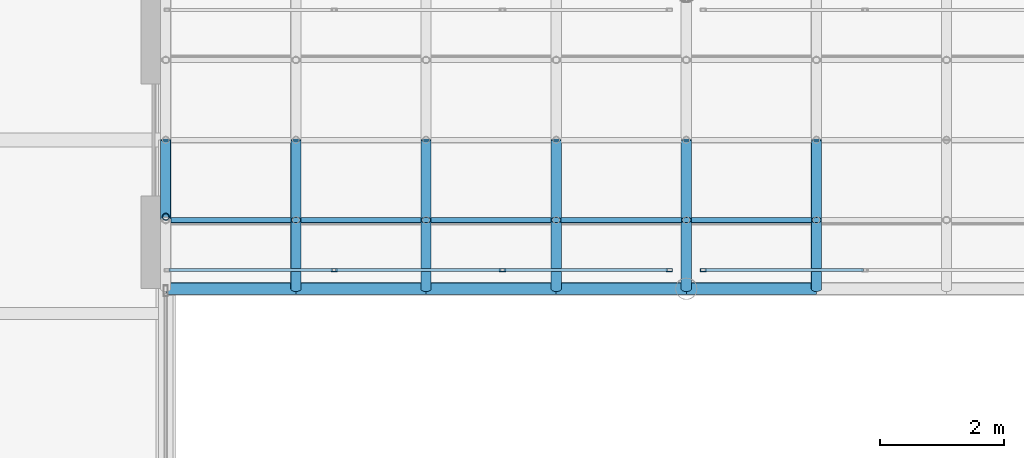
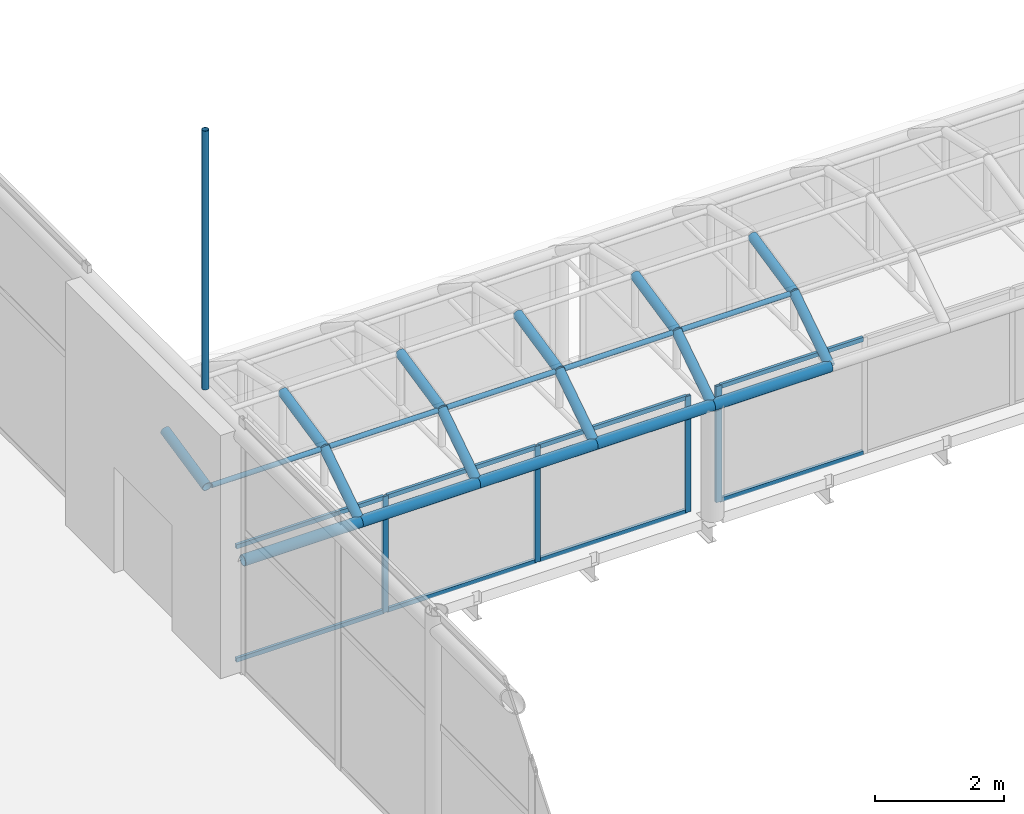
# One storey, part 92 of 167: 34 members, 2 elements without a shape of their own.
"""IFC4 building model written with IfcOpenShell, lengths in metres."""

from ifc_helpers import new_model, si_unit, direction, frame, origin, origin_2d, place, context, subcontext, project, spatial, hollow_rectangle, hollow_circle, extrude, material, material_profile, profile_set, type_object, element, aggregate, save


model = new_model("IFC4")

# Units and contexts
model_context = context("Model", 3, precision=1e-05, world=origin(), true_north=direction((0.0, 1.0)))
body_context = subcontext(model_context, "Body", "Model", "MODEL_VIEW")
ifc_project = project(units=[si_unit("LENGTHUNIT", "METRE"), si_unit("AREAUNIT", "SQUARE_METRE"), si_unit("VOLUMEUNIT", "CUBIC_METRE"), si_unit("PLANEANGLEUNIT", "RADIAN"), si_unit("MASSUNIT", "GRAM", prefix="KILO")], contexts=[model_context])

# Site, building, storey
site_placement = place(None, origin())
site = spatial("IfcSite", under=ifc_project, at=site_placement, CompositionType="ELEMENT")
building_placement = place(site_placement, origin())
building = spatial("IfcBuilding", under=site, at=building_placement, Name="Catenary Quay Ferry Terminal", CompositionType="ELEMENT")
storey_placement = place(building_placement, frame((0.0, 0.0, 6.0)))
storey = spatial("IfcBuildingStorey", under=building, at=storey_placement, Name="L01", CompositionType="ELEMENT", Elevation=6.0)

# Member
ifc_material_1 = material(Name="Steel S355", Category="steel")
ifc_material_profile_1 = material_profile(ifc_material_1, hollow_circle(Radius=0.05712890625, WallThickness=0.00634765625, at=origin_2d()), Name="CHS 114.3x6.3")
ifc_profile_set_1 = profile_set([ifc_material_profile_1], Name="Steel S355")
member_type_1 = type_object("IfcMemberType", Name="HG1 CHS 114.3x6.3", PredefinedType="POST", material=ifc_profile_set_1)
member_1_placement = place(storey_placement, frame((92.39990234375, 91.159912109375, 4.654052734375), z_axis=(0.0, 0.0, 1.0), x_axis=(1.0, 0.0, 0.0)))
element("IfcMember", 1, at=member_1_placement, inside=storey, type_object=member_type_1, Name="Hanger VA-09-07", PredefinedType="POST", context=body_context, shape_type="SweptSolid", body=[
    extrude(hollow_circle(Radius=0.05712890625, WallThickness=0.00634765625, at=origin_2d()), origin(), (0.0, 0.0, 1.0), 4.89599609375),
])

# Curtain wall, members
ifc_material_2 = material(Name="Aluminium and glass", Category="aluminium")
curtain_wall_type = type_object("IfcCurtainWallType", Name="CWB", PredefinedType="NOTDEFINED", material=ifc_material_2)
curtain_wall_1_placement = place(storey_placement, origin())
curtain_wall_1 = element("IfcCurtainWall", 2, at=curtain_wall_1_placement, inside=storey, type_object=curtain_wall_type, Name="BB2 curtain wall CW64", PredefinedType="NOTDEFINED")
ifc_material_3 = material(Name="Aluminium", Category="aluminium")
ifc_material_profile_2 = material_profile(ifc_material_3, hollow_rectangle(XDim=0.050048828125, YDim=0.10009765625, WallThickness=0.0048828125, at=origin_2d()), Name="MU1")
ifc_profile_set_2 = profile_set([ifc_material_profile_2], Name="Aluminium")
member_type_2 = type_object("IfcMemberType", Name="MU1", PredefinedType="MULLION", material=ifc_profile_set_2)
member_2_placement = place(storey_placement, frame((95.11669921875, 90.300048828125, 0.0), z_axis=(0.0, 0.0, 1.0), x_axis=(0.0, 1.0, 0.0)))
member_2 = element("IfcMember", 3, at=member_2_placement, type_object=member_type_2, Name="CW64 mullion 2", PredefinedType="MULLION", context=body_context, shape_type="SweptSolid", body=[
    extrude(hollow_rectangle(XDim=0.050048828125, YDim=0.10009765625, WallThickness=0.0048828125, at=origin_2d()), origin(), (0.0, 0.0, 1.0), 2.195068359375),
])
member_3_placement = place(storey_placement, frame((97.833251953125, 90.300048828125, 0.0), z_axis=(0.0, 0.0, 1.0), x_axis=(0.0, 1.0, 0.0)))
member_3 = element("IfcMember", 4, at=member_3_placement, type_object=member_type_2, Name="CW64 mullion 3", PredefinedType="MULLION", context=body_context, shape_type="SweptSolid", body=[
    extrude(hollow_rectangle(XDim=0.050048828125, YDim=0.10009765625, WallThickness=0.0048828125, at=origin_2d()), origin(), (0.0, 0.0, 1.0), 2.195068359375),
])
member_4_placement = place(storey_placement, frame((100.52490234375, 90.300048828125, 0.0), z_axis=(0.0, 0.0, 1.0), x_axis=(0.0, 1.0, 0.0)))
member_4 = element("IfcMember", 5, at=member_4_placement, type_object=member_type_2, Name="CW64 mullion 4", PredefinedType="MULLION", context=body_context, shape_type="SweptSolid", body=[
    extrude(hollow_rectangle(XDim=0.050048828125, YDim=0.10009765625, WallThickness=0.0048828125, at=origin_2d()), origin(), (0.0, 0.0, 1.0), 2.195068359375),
])

# Curtain wall, member
curtain_wall_2_placement = place(storey_placement, origin())
curtain_wall_2 = element("IfcCurtainWall", 6, at=curtain_wall_2_placement, inside=storey, type_object=curtain_wall_type, Name="BB2 curtain wall CW65", PredefinedType="NOTDEFINED")
member_5_placement = place(storey_placement, frame((101.074951171875, 90.300048828125, 0.0), z_axis=(0.0, 0.0, 1.0), x_axis=(0.0, 1.0, 0.0)))
member_5 = element("IfcMember", 7, at=member_5_placement, type_object=member_type_2, Name="CW65 mullion 1", PredefinedType="MULLION", context=body_context, shape_type="SweptSolid", body=[
    extrude(hollow_rectangle(XDim=0.050048828125, YDim=0.10009765625, WallThickness=0.0048828125, at=origin_2d()), origin(), (0.0, 0.0, 1.0), 2.195068359375),
])

# Members
ifc_material_4 = material(Name="Steel S355", Category="steel")
ifc_material_profile_3 = material_profile(ifc_material_4, hollow_circle(Radius=0.04443359375, WallThickness=0.0048828125, at=origin_2d()), Name="CHS 88.9x5")
ifc_profile_set_3 = profile_set([ifc_material_profile_3], Name="Steel S355")
member_type_3 = type_object("IfcMemberType", Name="PU3 CHS 88.9x5", PredefinedType="PURLIN", material=ifc_profile_set_3)
for number, where, z_axis, x_axis, name in (
    (8, (92.47998046875, 91.10791015625, 2.821044921875), (1.0, 0.0, 0.0), (0.0, 1.0, 0.0), "Purlin PU-RB2-01-01"),
    (9, (94.580078125, 91.10791015625, 2.821044921875), (1.0, 0.0, 0.0), (0.0, 1.0, 0.0), "Purlin PU-RB2-02-01"),
):
    element("IfcMember", number, at=place(storey_placement, frame(where, z_axis=z_axis, x_axis=x_axis)), inside=storey, type_object=member_type_3, Name=name, PredefinedType="PURLIN", context=body_context, shape_type="SweptSolid", body=[
        extrude(hollow_circle(Radius=0.04443359375, WallThickness=0.0048828125, at=origin_2d()), origin(), (0.0, 0.0, 1.0), 1.93994140625),
    ])
member_6_placement = place(storey_placement, frame((96.679931640625, 91.10791015625, 2.821044921875), z_axis=(1.0, 0.0, 0.0), x_axis=(0.0, 1.0, 0.0)))
element("IfcMember", 10, at=member_6_placement, inside=storey, type_object=member_type_3, Name="Purlin PU-RB2-03-01", PredefinedType="PURLIN", context=body_context, shape_type="SweptSolid", body=[
    extrude(hollow_circle(Radius=0.04443359375, WallThickness=0.0048828125, at=origin_2d()), origin(), (0.0, 0.0, 1.0), 1.940185546875),
])
member_7_placement = place(storey_placement, frame((98.780029296875, 91.10791015625, 2.821044921875), z_axis=(1.0, 0.0, 0.0), x_axis=(0.0, 1.0, 0.0)))
element("IfcMember", 11, at=member_7_placement, inside=storey, type_object=member_type_3, Name="Purlin PU-RB2-04-01", PredefinedType="PURLIN", context=body_context, shape_type="SweptSolid", body=[
    extrude(hollow_circle(Radius=0.04443359375, WallThickness=0.0048828125, at=origin_2d()), origin(), (0.0, 0.0, 1.0), 1.93994140625),
])
member_8_placement = place(storey_placement, frame((100.8798828125, 91.10791015625, 2.821044921875), z_axis=(1.0, 0.0, 0.0), x_axis=(0.0, 1.0, 0.0)))
element("IfcMember", 12, at=member_8_placement, inside=storey, type_object=member_type_3, Name="Purlin PU-RB2-05-01", PredefinedType="PURLIN", context=body_context, shape_type="SweptSolid", body=[
    extrude(hollow_circle(Radius=0.04443359375, WallThickness=0.0048828125, at=origin_2d()), origin(), (0.0, 0.0, 1.0), 1.940185546875),
])
ifc_material_5 = material(Name="Steel S355", Category="steel")
ifc_material_profile_4 = material_profile(ifc_material_5, hollow_circle(Radius=0.096923828125, WallThickness=0.010009765625, at=origin_2d()), Name="CHS 193.7x10")
ifc_profile_set_4 = profile_set([ifc_material_profile_4], Name="Steel S355")
member_type_4 = type_object("IfcMemberType", Name="TC2 CHS 193.7x10", PredefinedType="CHORD", material=ifc_profile_set_4)
for number, where, z_axis, x_axis, name in (
    (13, (92.39990234375, 90.0, 2.10009765625), (1.0, 0.0, 0.0), (0.0, 1.0, 0.0), "Bridge top chord BB2S-TC01"),
    (14, (94.5, 90.0, 2.10009765625), (1.0, 0.0, 0.0), (0.0, 1.0, 0.0), "Bridge top chord BB2S-TC02"),
):
    element("IfcMember", number, at=place(storey_placement, frame(where, z_axis=z_axis, x_axis=x_axis)), inside=storey, type_object=member_type_4, Name=name, PredefinedType="CHORD", context=body_context, shape_type="SweptSolid", body=[
        extrude(hollow_circle(Radius=0.096923828125, WallThickness=0.010009765625, at=origin_2d()), origin(), (0.0, 0.0, 1.0), 2.10009765625),
    ])
member_9_placement = place(storey_placement, frame((96.60009765625, 90.0, 2.10009765625), z_axis=(1.0, 0.0, 0.0), x_axis=(0.0, 1.0, 0.0)))
element("IfcMember", 15, at=member_9_placement, inside=storey, type_object=member_type_4, Name="Bridge top chord BB2S-TC03", PredefinedType="CHORD", context=body_context, shape_type="SweptSolid", body=[
    extrude(hollow_circle(Radius=0.096923828125, WallThickness=0.010009765625, at=origin_2d()), origin(), (0.0, 0.0, 1.0), 2.099853515625),
])
member_10_placement = place(storey_placement, frame((98.699951171875, 90.0, 2.10009765625), z_axis=(1.0, 0.0, 0.0), x_axis=(0.0, 1.0, 0.0)))
element("IfcMember", 16, at=member_10_placement, inside=storey, type_object=member_type_4, Name="Bridge top chord BB2S-TC04", PredefinedType="CHORD", context=body_context, shape_type="SweptSolid", body=[
    extrude(hollow_circle(Radius=0.096923828125, WallThickness=0.010009765625, at=origin_2d()), origin(), (0.0, 0.0, 1.0), 2.10009765625),
])
member_11_placement = place(storey_placement, frame((100.800048828125, 90.0, 2.10009765625), z_axis=(1.0, 0.0, 0.0), x_axis=(0.0, 1.0, 0.0)))
element("IfcMember", 17, at=member_11_placement, inside=storey, type_object=member_type_4, Name="Bridge top chord BB2S-TC05", PredefinedType="CHORD", context=body_context, shape_type="SweptSolid", body=[
    extrude(hollow_circle(Radius=0.096923828125, WallThickness=0.010009765625, at=origin_2d()), origin(), (0.0, 0.0, 1.0), 2.099853515625),
])

# Member
ifc_material_6 = material(Name="Aluminium", Category="aluminium")
ifc_material_profile_5 = material_profile(ifc_material_6, hollow_rectangle(XDim=0.050048828125, YDim=0.080078125, WallThickness=0.00390625, at=origin_2d()), Name="TR1")
ifc_profile_set_5 = profile_set([ifc_material_profile_5], Name="Aluminium")
member_type_5 = type_object("IfcMemberType", Name="TR1", PredefinedType="USERDEFINED", material=ifc_profile_set_5)
member_12_placement = place(storey_placement, frame((92.449951171875, 90.300048828125, 0.02490234375), z_axis=(1.0, 0.0, 0.0), x_axis=(0.0, 1.0, 0.0)))
member_12 = element("IfcMember", 18, at=member_12_placement, type_object=member_type_5, Name="CW64 transom 1.1", ObjectType="TRANSOM", PredefinedType="USERDEFINED", context=body_context, shape_type="SweptSolid", body=[
    extrude(hollow_rectangle(XDim=0.050048828125, YDim=0.080078125, WallThickness=0.00390625, at=origin_2d()), origin(), (0.0, 0.0, 1.0), 2.6416015625),
])

member_13_placement = place(storey_placement, frame((92.449951171875, 90.300048828125, 2.169921875), z_axis=(1.0, 0.0, 0.0), x_axis=(0.0, 1.0, 0.0)))
member_13 = element("IfcMember", 19, at=member_13_placement, type_object=member_type_5, Name="CW64 transom 1.2", ObjectType="TRANSOM", PredefinedType="USERDEFINED", context=body_context, shape_type="SweptSolid", body=[
    extrude(hollow_rectangle(XDim=0.050048828125, YDim=0.080078125, WallThickness=0.00390625, at=origin_2d()), origin(), (0.0, 0.0, 1.0), 2.6416015625),
])

member_14_placement = place(storey_placement, frame((95.1416015625, 90.300048828125, 0.02490234375), z_axis=(1.0, 0.0, 0.0), x_axis=(0.0, 1.0, 0.0)))
member_14 = element("IfcMember", 20, at=member_14_placement, type_object=member_type_5, Name="CW64 transom 2.1", ObjectType="TRANSOM", PredefinedType="USERDEFINED", context=body_context, shape_type="SweptSolid", body=[
    extrude(hollow_rectangle(XDim=0.050048828125, YDim=0.080078125, WallThickness=0.00390625, at=origin_2d()), origin(), (0.0, 0.0, 1.0), 2.666748046875),
])

member_15_placement = place(storey_placement, frame((95.1416015625, 90.300048828125, 2.169921875), z_axis=(1.0, 0.0, 0.0), x_axis=(0.0, 1.0, 0.0)))
member_15 = element("IfcMember", 21, at=member_15_placement, type_object=member_type_5, Name="CW64 transom 2.2", ObjectType="TRANSOM", PredefinedType="USERDEFINED", context=body_context, shape_type="SweptSolid", body=[
    extrude(hollow_rectangle(XDim=0.050048828125, YDim=0.080078125, WallThickness=0.00390625, at=origin_2d()), origin(), (0.0, 0.0, 1.0), 2.666748046875),
])

member_16_placement = place(storey_placement, frame((97.8583984375, 90.300048828125, 0.02490234375), z_axis=(1.0, 0.0, 0.0), x_axis=(0.0, 1.0, 0.0)))
member_16 = element("IfcMember", 22, at=member_16_placement, type_object=member_type_5, Name="CW64 transom 3.1", ObjectType="TRANSOM", PredefinedType="USERDEFINED", context=body_context, shape_type="SweptSolid", body=[
    extrude(hollow_rectangle(XDim=0.050048828125, YDim=0.080078125, WallThickness=0.00390625, at=origin_2d()), origin(), (0.0, 0.0, 1.0), 2.6416015625),
])

member_17_placement = place(storey_placement, frame((97.8583984375, 90.300048828125, 2.169921875), z_axis=(1.0, 0.0, 0.0), x_axis=(0.0, 1.0, 0.0)))
member_17 = element("IfcMember", 23, at=member_17_placement, type_object=member_type_5, Name="CW64 transom 3.2", ObjectType="TRANSOM", PredefinedType="USERDEFINED", context=body_context, shape_type="SweptSolid", body=[
    extrude(hollow_rectangle(XDim=0.050048828125, YDim=0.080078125, WallThickness=0.00390625, at=origin_2d()), origin(), (0.0, 0.0, 1.0), 2.6416015625),
])

aggregate(curtain_wall_1, [member_2, member_3, member_4, member_12, member_13, member_14, member_15, member_16, member_17])

member_18_placement = place(storey_placement, frame((101.10009765625, 90.300048828125, 0.02490234375), z_axis=(1.0, 0.0, 0.0), x_axis=(0.0, 1.0, 0.0)))
member_18 = element("IfcMember", 24, at=member_18_placement, type_object=member_type_5, Name="CW65 transom 1.1", ObjectType="TRANSOM", PredefinedType="USERDEFINED", context=body_context, shape_type="SweptSolid", body=[
    extrude(hollow_rectangle(XDim=0.050048828125, YDim=0.080078125, WallThickness=0.00390625, at=origin_2d()), origin(), (0.0, 0.0, 1.0), 2.558349609375),
])

member_19_placement = place(storey_placement, frame((101.10009765625, 90.300048828125, 2.169921875), z_axis=(1.0, 0.0, 0.0), x_axis=(0.0, 1.0, 0.0)))
member_19 = element("IfcMember", 25, at=member_19_placement, type_object=member_type_5, Name="CW65 transom 1.2", ObjectType="TRANSOM", PredefinedType="USERDEFINED", context=body_context, shape_type="SweptSolid", body=[
    extrude(hollow_rectangle(XDim=0.050048828125, YDim=0.080078125, WallThickness=0.00390625, at=origin_2d()), origin(), (0.0, 0.0, 1.0), 2.558349609375),
])

aggregate(curtain_wall_2, [member_5, member_18, member_19])

# Members
ifc_material_7 = material(Name="Steel S355", Category="steel")
ifc_material_profile_6 = material_profile(ifc_material_7, hollow_circle(Radius=0.084228515625, WallThickness=0.008056640625, at=origin_2d()), Name="CHS 168.3x8")
ifc_profile_set_6 = profile_set([ifc_material_profile_6], Name="Steel S355")
member_type_6 = type_object("IfcMemberType", Name="VR4 CHS 168.3x8", PredefinedType="RAFTER", material=ifc_profile_set_6)
for number, where, z_axis, x_axis, name in (
    (26, (92.39990234375, 91.10791015625, 2.821044921875), (0.0, 0.977460543774, 0.211118178672), (-1.0, 0.0, 0.0), "rib RB2-01-02"),
    (27, (94.5, 90.0, 2.10009765625), (0.0, 0.838164997293, 0.545416755621), (-1.0, 0.0, 0.0), "rib RB2-02-01"),
    (28, (94.5, 91.10791015625, 2.821044921875), (0.0, 0.977460543774, 0.211118178672), (-1.0, 0.0, 0.0), "rib RB2-02-02"),
    (29, (96.60009765625, 90.0, 2.10009765625), (0.0, 0.838164997293, 0.545416755621), (-1.0, 0.0, 0.0), "rib RB2-03-01"),
    (30, (96.60009765625, 91.10791015625, 2.821044921875), (0.0, 0.977460543774, 0.211118178672), (-1.0, 0.0, 0.0), "rib RB2-03-02"),
    (31, (98.699951171875, 90.0, 2.10009765625), (0.0, 0.838164997293, 0.545416755621), (-1.0, 0.0, 0.0), "rib RB2-04-01"),
    (32, (98.699951171875, 91.10791015625, 2.821044921875), (0.0, 0.977460543774, 0.211118178672), (-1.0, 0.0, 0.0), "rib RB2-04-02"),
    (33, (100.800048828125, 90.0, 2.10009765625), (0.0, 0.838164997293, 0.545416755621), (-1.0, 0.0, 0.0), "rib RB2-05-01"),
    (34, (100.800048828125, 91.10791015625, 2.821044921875), (0.0, 0.977460543774, 0.211118178672), (-1.0, 0.0, 0.0), "rib RB2-05-02"),
    (35, (102.89990234375, 90.0, 2.10009765625), (0.0, 0.838164997293, 0.545416755621), (-1.0, 0.0, 0.0), "rib RB2-06-01"),
    (36, (102.89990234375, 91.10791015625, 2.821044921875), (0.0, 0.977460543774, 0.211118178672), (-1.0, 0.0, 0.0), "rib RB2-06-02"),
):
    element("IfcMember", number, at=place(storey_placement, frame(where, z_axis=z_axis, x_axis=x_axis)), inside=storey, type_object=member_type_6, Name=name, PredefinedType="RAFTER", context=body_context, shape_type="SweptSolid", body=[
        extrude(hollow_circle(Radius=0.084228515625, WallThickness=0.008056640625, at=origin_2d()), origin(), (0.0, 0.0, 1.0), 1.32177734375),
    ])

save(model, "model.ifc")
